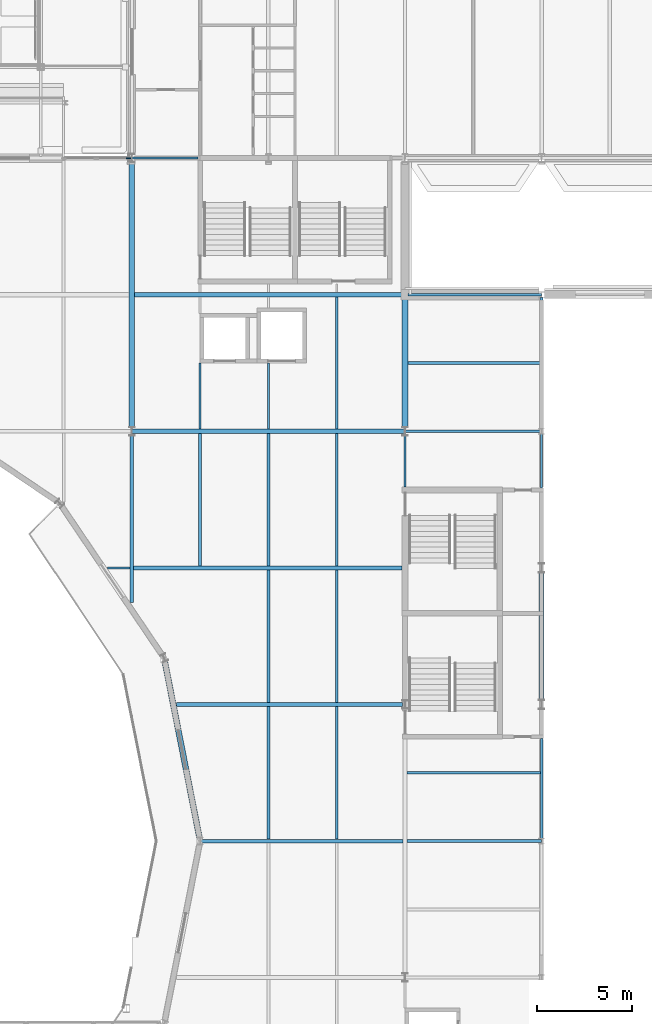
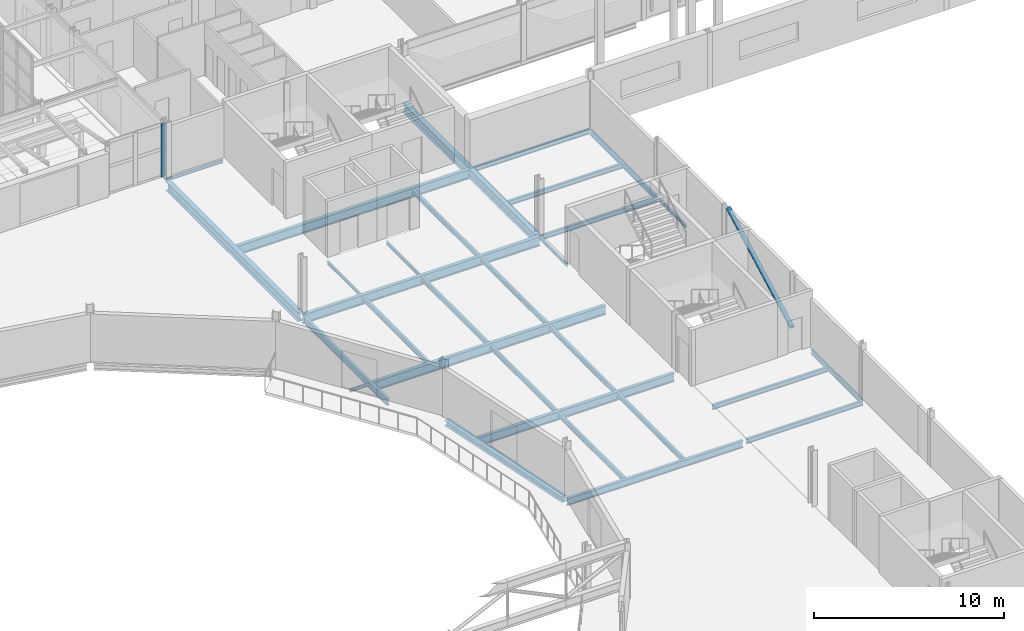
# One storey, part 50 of 143: 30 beams, 2 members, 1 element without a shape of its own.
"""IFC4 building model written with IfcOpenShell, lengths in metres."""

from ifc_helpers import new_model, si_unit, direction, frame, origin, origin_2d, place, context, subcontext, project, spatial, rectangle, hollow_circle, i_section, extrude, material, material_profile, profile_set, type_object, element, aggregate, save


model = new_model("IFC4")

# Units and contexts
model_context = context("Model", 3, precision=1e-05, world=origin(), true_north=direction((0.0, 1.0)))
body_context = subcontext(model_context, "Body", "Model", "MODEL_VIEW")
ifc_project = project(units=[si_unit("LENGTHUNIT", "METRE"), si_unit("AREAUNIT", "SQUARE_METRE"), si_unit("VOLUMEUNIT", "CUBIC_METRE"), si_unit("PLANEANGLEUNIT", "RADIAN"), si_unit("MASSUNIT", "GRAM", prefix="KILO")], contexts=[model_context])

# Site, building, storey
site_placement = place(None, origin())
site = spatial("IfcSite", under=ifc_project, at=site_placement, CompositionType="ELEMENT")
building_placement = place(site_placement, origin())
building = spatial("IfcBuilding", under=site, at=building_placement, Name="Kupolbacken Congress Centre", CompositionType="ELEMENT")
storey_placement = place(building_placement, frame((0.0, 0.0, 7.199951171875)))
storey = spatial("IfcBuildingStorey", under=building, at=storey_placement, Name="L02", CompositionType="ELEMENT", Elevation=7.199951171875)

# Beams
ifc_material_1 = material(Name="Steel S355", Category="steel")
ifc_material_profile_1 = material_profile(ifc_material_1, i_section(OverallWidth=0.10009765625, OverallDepth=0.199951171875, WebThickness=0.005615234375, FlangeThickness=0.008544921875, FilletRadius=0.011962890625, at=origin_2d()), Name="IPE 200")
ifc_profile_set_1 = profile_set([ifc_material_profile_1], Name="Steel S355")
beam_type_1 = type_object("IfcBeamType", Name="B01 beam IPE 200", PredefinedType="BEAM", material=ifc_profile_set_1)
beam_1_placement = place(storey_placement, frame((79.199951171875, 105.050048828125, -0.280029296875), z_axis=(0.0, 1.0, 0.0), x_axis=(-1.0, 0.0, 0.0)))
element("IfcBeam", 1, at=beam_1_placement, inside=storey, type_object=beam_type_1, Name="S/floor/P/L02/G036", PredefinedType="BEAM", context=body_context, shape_type="SweptSolid", body=[
    extrude(i_section(OverallWidth=0.10009765625, OverallDepth=0.199951171875, WebThickness=0.005615234375, FlangeThickness=0.008544921875, FilletRadius=0.011962890625, at=origin_2d()), origin(), (0.0, 0.0, 1.0), 2.724853515625),
])
beam_2_placement = place(storey_placement, frame((63.50927734375, 100.800048828125, -0.280029296875), z_axis=(1.0, 0.0, 0.0), x_axis=(0.0, 1.0, 0.0)))
element("IfcBeam", 2, at=beam_2_placement, inside=storey, type_object=beam_type_1, Name="S/floor/P/L02/R059", PredefinedType="BEAM", context=body_context, shape_type="SweptSolid", body=[
    extrude(i_section(OverallWidth=0.10009765625, OverallDepth=0.199951171875, WebThickness=0.005615234375, FlangeThickness=0.008544921875, FilletRadius=0.011962890625, at=origin_2d()), origin(), (0.0, 0.0, 1.0), 1.20068359375),
])
beam_3_placement = place(storey_placement, frame((64.806884765625, 122.39990234375, -0.280029296875), z_axis=(1.0, 0.0, 0.0), x_axis=(0.0, 1.0, 0.0)))
element("IfcBeam", 3, at=beam_3_placement, inside=storey, type_object=beam_type_1, Name="S/floor/P/L02/R074", PredefinedType="BEAM", context=body_context, shape_type="SweptSolid", body=[
    extrude(i_section(OverallWidth=0.10009765625, OverallDepth=0.199951171875, WebThickness=0.005615234375, FlangeThickness=0.008544921875, FilletRadius=0.011962890625, at=origin_2d()), origin(), (0.0, 0.0, 1.0), 3.468017578125),
])
for number, where, z_axis, x_axis, name in (
    (4, (72.0, 108.110107421875, -0.280029296875), (0.0, 1.0, 0.0), (-1.0, 0.0, 0.0), "S/floor/P/L02/S148"),
    (5, (68.39990234375, 108.110107421875, -0.280029296875), (0.0, 1.0, 0.0), (-1.0, 0.0, 0.0), "S/floor/P/L02/S174"),
):
    element("IfcBeam", number, at=place(storey_placement, frame(where, z_axis=z_axis, x_axis=x_axis)), inside=storey, type_object=beam_type_1, Name=name, PredefinedType="BEAM", context=body_context, shape_type="SweptSolid", body=[
        extrude(i_section(OverallWidth=0.10009765625, OverallDepth=0.199951171875, WebThickness=0.005615234375, FlangeThickness=0.008544921875, FilletRadius=0.011962890625, at=origin_2d()), origin(), (0.0, 0.0, 1.0), 3.489990234375),
    ])
beam_4_placement = place(storey_placement, frame((86.39990234375, 105.0, -0.280029296875), z_axis=(0.0, 1.0, 0.0), x_axis=(-1.0, 0.0, 0.0)))
element("IfcBeam", 6, at=beam_4_placement, inside=storey, type_object=beam_type_1, Name="S/floor/LINK/L02/E008", PredefinedType="BEAM", context=body_context, shape_type="SweptSolid", body=[
    extrude(i_section(OverallWidth=0.10009765625, OverallDepth=0.199951171875, WebThickness=0.005615234375, FlangeThickness=0.008544921875, FilletRadius=0.011962890625, at=origin_2d()), origin(), (0.0, 0.0, 1.0), 2.85498046875),
])
ifc_material_2 = material(Name="Steel S355", Category="steel")
ifc_material_profile_2 = material_profile(ifc_material_2, i_section(OverallWidth=0.135009765625, OverallDepth=0.27001953125, WebThickness=0.006591796875, FlangeThickness=0.01025390625, FilletRadius=0.014892578125, at=origin_2d()), Name="IPE 270")
ifc_profile_set_2 = profile_set([ifc_material_profile_2], Name="Steel S355")
beam_type_2 = type_object("IfcBeamType", Name="B03 beam IPE 270", PredefinedType="BEAM", material=ifc_profile_set_2)
beam_5_placement = place(storey_placement, frame((86.39990234375, 86.544921875, -0.31494140625), z_axis=(0.0, 1.0, 0.0), x_axis=(-1.0, 0.0, 0.0)))
element("IfcBeam", 7, at=beam_5_placement, inside=storey, type_object=beam_type_2, Name="S/floor/LINK/L02/E007", PredefinedType="BEAM", context=body_context, shape_type="SweptSolid", body=[
    extrude(i_section(OverallWidth=0.135009765625, OverallDepth=0.27001953125, WebThickness=0.006591796875, FlangeThickness=0.01025390625, FilletRadius=0.014892578125, at=origin_2d()), origin(), (0.0, 0.0, 1.0), 5.255126953125),
])
ifc_material_3 = material(Name="Steel S355", Category="steel")
ifc_material_profile_3 = material_profile(ifc_material_3, i_section(OverallWidth=0.14990234375, OverallDepth=0.300048828125, WebThickness=0.007080078125, FlangeThickness=0.0107421875, FilletRadius=0.014892578125, at=origin_2d()), Name="IPE 300")
ifc_profile_set_3 = profile_set([ifc_material_profile_3], Name="Steel S355")
beam_type_3 = type_object("IfcBeamType", Name="B04 beam IPE 300", PredefinedType="BEAM", material=ifc_profile_set_3)
beam_6_placement = place(storey_placement, frame((72.0, 86.4951171875, -0.329833984375), z_axis=(0.0, 1.0, 0.0), x_axis=(-1.0, 0.0, 0.0)))
element("IfcBeam", 8, at=beam_6_placement, inside=storey, type_object=beam_type_3, Name="S/floor/P/L02/S145", PredefinedType="BEAM", context=body_context, shape_type="SweptSolid", body=[
    extrude(i_section(OverallWidth=0.14990234375, OverallDepth=0.300048828125, WebThickness=0.007080078125, FlangeThickness=0.0107421875, FilletRadius=0.014892578125, at=origin_2d()), origin(), (0.0, 0.0, 1.0), 7.0),
])
beam_7_placement = place(storey_placement, frame((72.0, 93.705078125, -0.329833984375), z_axis=(0.0, 1.0, 0.0), x_axis=(-1.0, 0.0, 0.0)))
element("IfcBeam", 9, at=beam_7_placement, inside=storey, type_object=beam_type_3, Name="S/floor/P/L02/S146", PredefinedType="BEAM", context=body_context, shape_type="SweptSolid", body=[
    extrude(i_section(OverallWidth=0.14990234375, OverallDepth=0.300048828125, WebThickness=0.007080078125, FlangeThickness=0.0107421875, FilletRadius=0.014892578125, at=origin_2d()), origin(), (0.0, 0.0, 1.0), 6.98486328125),
])
beam_8_placement = place(storey_placement, frame((72.0, 100.909912109375, -0.329833984375), z_axis=(0.0, 1.0, 0.0), x_axis=(-1.0, 0.0, 0.0)))
element("IfcBeam", 10, at=beam_8_placement, inside=storey, type_object=beam_type_3, Name="S/floor/P/L02/S147", PredefinedType="BEAM", context=body_context, shape_type="SweptSolid", body=[
    extrude(i_section(OverallWidth=0.14990234375, OverallDepth=0.300048828125, WebThickness=0.007080078125, FlangeThickness=0.0107421875, FilletRadius=0.014892578125, at=origin_2d()), origin(), (0.0, 0.0, 1.0), 6.97998046875),
])
beam_9_placement = place(storey_placement, frame((75.60009765625, 86.4951171875, -0.329833984375), z_axis=(0.0, 1.0, 0.0), x_axis=(-1.0, 0.0, 0.0)))
element("IfcBeam", 11, at=beam_9_placement, inside=storey, type_object=beam_type_3, Name="S/floor/P/L02/S156", PredefinedType="BEAM", context=body_context, shape_type="SweptSolid", body=[
    extrude(i_section(OverallWidth=0.14990234375, OverallDepth=0.300048828125, WebThickness=0.007080078125, FlangeThickness=0.0107421875, FilletRadius=0.014892578125, at=origin_2d()), origin(), (0.0, 0.0, 1.0), 7.0),
])
beam_10_placement = place(storey_placement, frame((75.60009765625, 93.705078125, -0.329833984375), z_axis=(0.0, 1.0, 0.0), x_axis=(-1.0, 0.0, 0.0)))
element("IfcBeam", 12, at=beam_10_placement, inside=storey, type_object=beam_type_3, Name="S/floor/P/L02/S157", PredefinedType="BEAM", context=body_context, shape_type="SweptSolid", body=[
    extrude(i_section(OverallWidth=0.14990234375, OverallDepth=0.300048828125, WebThickness=0.007080078125, FlangeThickness=0.0107421875, FilletRadius=0.014892578125, at=origin_2d()), origin(), (0.0, 0.0, 1.0), 6.98486328125),
])
for number, where, z_axis, x_axis, name in (
    (13, (75.60009765625, 100.909912109375, -0.329833984375), (0.0, 1.0, 0.0), (-1.0, 0.0, 0.0), "S/floor/P/L02/S158"),
    (14, (75.60009765625, 108.110107421875, -0.329833984375), (0.0, 1.0, 0.0), (-1.0, 0.0, 0.0), "S/floor/P/L02/S159"),
    (15, (68.39990234375, 100.909912109375, -0.329833984375), (0.0, 1.0, 0.0), (-1.0, 0.0, 0.0), "S/floor/P/L02/S173"),
):
    element("IfcBeam", number, at=place(storey_placement, frame(where, z_axis=z_axis, x_axis=x_axis)), inside=storey, type_object=beam_type_3, Name=name, PredefinedType="BEAM", context=body_context, shape_type="SweptSolid", body=[
        extrude(i_section(OverallWidth=0.14990234375, OverallDepth=0.300048828125, WebThickness=0.007080078125, FlangeThickness=0.0107421875, FilletRadius=0.014892578125, at=origin_2d()), origin(), (0.0, 0.0, 1.0), 6.97998046875),
    ])
beam_11_placement = place(storey_placement, frame((86.39990234375, 108.14501953125, -0.329833984375), z_axis=(0.0, 1.0, 0.0), x_axis=(-1.0, 0.0, 0.0)))
element("IfcBeam", 16, at=beam_11_placement, inside=storey, type_object=beam_type_3, Name="S/floor/LINK/L02/E009", PredefinedType="BEAM", context=body_context, shape_type="SweptSolid", body=[
    extrude(i_section(OverallWidth=0.14990234375, OverallDepth=0.300048828125, WebThickness=0.007080078125, FlangeThickness=0.0107421875, FilletRadius=0.014892578125, at=origin_2d()), origin(), (0.0, 0.0, 1.0), 6.909912109375),
])
beam_12_placement = place(storey_placement, frame((79.304931640625, 86.39990234375, -0.329833984375), z_axis=(1.0, 0.0, 0.0), x_axis=(0.0, 1.0, 0.0)))
element("IfcBeam", 17, at=beam_12_placement, inside=storey, type_object=beam_type_3, Name="S/floor/LINK/L02/R018", PredefinedType="BEAM", context=body_context, shape_type="SweptSolid", body=[
    extrude(i_section(OverallWidth=0.14990234375, OverallDepth=0.300048828125, WebThickness=0.007080078125, FlangeThickness=0.0107421875, FilletRadius=0.014892578125, at=origin_2d()), origin(), (0.0, 0.0, 1.0), 7.0908203125),
])
beam_13_placement = place(storey_placement, frame((79.304931640625, 90.0, -0.329833984375), z_axis=(1.0, 0.0, 0.0), x_axis=(0.0, 1.0, 0.0)))
element("IfcBeam", 18, at=beam_13_placement, inside=storey, type_object=beam_type_3, Name="S/floor/LINK/L02/R019", PredefinedType="BEAM", context=body_context, shape_type="SweptSolid", body=[
    extrude(i_section(OverallWidth=0.14990234375, OverallDepth=0.300048828125, WebThickness=0.007080078125, FlangeThickness=0.0107421875, FilletRadius=0.014892578125, at=origin_2d()), origin(), (0.0, 0.0, 1.0), 7.027587890625),
])
beam_14_placement = place(storey_placement, frame((79.20703125, 108.0, -0.329833984375), z_axis=(1.0, 0.0, 0.0), x_axis=(0.0, 1.0, 0.0)))
element("IfcBeam", 19, at=beam_14_placement, inside=storey, type_object=beam_type_3, Name="S/floor/LINK/L02/R020", PredefinedType="BEAM", context=body_context, shape_type="SweptSolid", body=[
    extrude(i_section(OverallWidth=0.14990234375, OverallDepth=0.300048828125, WebThickness=0.007080078125, FlangeThickness=0.0107421875, FilletRadius=0.014892578125, at=origin_2d()), origin(), (0.0, 0.0, 1.0), 7.188720703125),
])
beam_15_placement = place(storey_placement, frame((79.35009765625, 111.60009765625, -0.329833984375), z_axis=(1.0, 0.0, 0.0), x_axis=(0.0, 1.0, 0.0)))
element("IfcBeam", 20, at=beam_15_placement, inside=storey, type_object=beam_type_3, Name="S/floor/LINK/L02/R021", PredefinedType="BEAM", context=body_context, shape_type="SweptSolid", body=[
    extrude(i_section(OverallWidth=0.14990234375, OverallDepth=0.300048828125, WebThickness=0.007080078125, FlangeThickness=0.0107421875, FilletRadius=0.014892578125, at=origin_2d()), origin(), (0.0, 0.0, 1.0), 6.974853515625),
])
beam_16_placement = place(storey_placement, frame((79.35009765625, 115.199951171875, -0.329833984375), z_axis=(1.0, 0.0, 0.0), x_axis=(0.0, 1.0, 0.0)))
element("IfcBeam", 21, at=beam_16_placement, inside=storey, type_object=beam_type_3, Name="S/floor/LINK/L02/R022", PredefinedType="BEAM", context=body_context, shape_type="SweptSolid", body=[
    extrude(i_section(OverallWidth=0.14990234375, OverallDepth=0.300048828125, WebThickness=0.007080078125, FlangeThickness=0.0107421875, FilletRadius=0.014892578125, at=origin_2d()), origin(), (0.0, 0.0, 1.0), 7.045654296875),
])
ifc_material_4 = material(Name="Steel S355", Category="steel")
ifc_material_profile_4 = material_profile(ifc_material_4, i_section(OverallWidth=0.179931640625, OverallDepth=0.39990234375, WebThickness=0.008544921875, FlangeThickness=0.013427734375, FilletRadius=0.02099609375, at=origin_2d()), Name="IPE 400")
ifc_profile_set_4 = profile_set([ifc_material_profile_4], Name="Steel S355")
beam_type_4 = type_object("IfcBeamType", Name="B07 beam IPE 400", PredefinedType="BEAM", material=ifc_profile_set_4)
beam_17_placement = place(storey_placement, frame((64.800048828125, 98.970703125, -0.3798828125), z_axis=(0.0, 1.0, 0.0), x_axis=(-1.0, 0.0, 0.0)))
element("IfcBeam", 22, at=beam_17_placement, inside=storey, type_object=beam_type_4, Name="S/floor/P/L02/G030", PredefinedType="BEAM", context=body_context, shape_type="SweptSolid", body=[
    extrude(i_section(OverallWidth=0.179931640625, OverallDepth=0.39990234375, WebThickness=0.008544921875, FlangeThickness=0.013427734375, FilletRadius=0.02099609375, at=origin_2d()), origin(), (0.0, 0.0, 1.0), 8.80419921875),
])
ifc_material_5 = material(Name="Steel S355", Category="steel")
ifc_material_profile_5 = material_profile(ifc_material_5, i_section(OverallWidth=0.18994140625, OverallDepth=0.449951171875, WebThickness=0.009521484375, FlangeThickness=0.0146484375, FilletRadius=0.02099609375, at=origin_2d()), Name="IPE 450")
ifc_profile_set_5 = profile_set([ifc_material_profile_5], Name="Steel S355")
beam_type_5 = type_object("IfcBeamType", Name="B08 beam IPE 450", PredefinedType="BEAM", material=ifc_profile_set_5)
beam_18_placement = place(storey_placement, frame((68.40673828125, 86.39990234375, -0.405029296875), z_axis=(1.0, 0.0, 0.0), x_axis=(0.0, 1.0, 0.0)))
element("IfcBeam", 23, at=beam_18_placement, inside=storey, type_object=beam_type_5, Name="S/floor/P/L02/R054", PredefinedType="BEAM", context=body_context, shape_type="SweptSolid", body=[
    extrude(i_section(OverallWidth=0.18994140625, OverallDepth=0.449951171875, WebThickness=0.009521484375, FlangeThickness=0.0146484375, FilletRadius=0.02099609375, at=origin_2d()), origin(), (0.0, 0.0, 1.0), 10.688232421875),
])
ifc_material_6 = material(Name="Steel S355", Category="steel")
ifc_material_profile_6 = material_profile(ifc_material_6, i_section(OverallWidth=0.2099609375, OverallDepth=0.550048828125, WebThickness=0.010986328125, FlangeThickness=0.01708984375, FilletRadius=0.02392578125, at=origin_2d()), Name="IPE 550")
ifc_profile_set_6 = profile_set([ifc_material_profile_6], Name="Steel S355")
beam_type_6 = type_object("IfcBeamType", Name="B10 beam IPE 550", PredefinedType="BEAM", material=ifc_profile_set_6)
beam_19_placement = place(storey_placement, frame((67.156005859375, 93.60009765625, -0.454833984375), z_axis=(1.0, 0.0, 0.0), x_axis=(0.0, 1.0, 0.0)))
element("IfcBeam", 24, at=beam_19_placement, inside=storey, type_object=beam_type_6, Name="S/floor/P/L02/R056", PredefinedType="BEAM", context=body_context, shape_type="SweptSolid", body=[
    extrude(i_section(OverallWidth=0.2099609375, OverallDepth=0.550048828125, WebThickness=0.010986328125, FlangeThickness=0.01708984375, FilletRadius=0.02392578125, at=origin_2d()), origin(), (0.0, 0.0, 1.0), 11.9189453125),
])
ifc_material_7 = material(Name="Steel S355", Category="steel")
ifc_material_profile_7 = material_profile(ifc_material_7, i_section(OverallWidth=0.219970703125, OverallDepth=0.60009765625, WebThickness=0.011962890625, FlangeThickness=0.01904296875, FilletRadius=0.02392578125, at=origin_2d()), Name="IPE 600")
ifc_profile_set_7 = profile_set([ifc_material_profile_7], Name="Steel S355")
beam_type_7 = type_object("IfcBeamType", Name="B11 beam IPE 600", PredefinedType="BEAM", material=ifc_profile_set_7)
beam_20_placement = place(storey_placement, frame((64.889892578125, 100.800048828125, -0.47998046875), z_axis=(1.0, 0.0, 0.0), x_axis=(0.0, 1.0, 0.0)))
element("IfcBeam", 25, at=beam_20_placement, inside=storey, type_object=beam_type_7, Name="S/floor/P/L02/R060", PredefinedType="BEAM", context=body_context, shape_type="SweptSolid", body=[
    extrude(i_section(OverallWidth=0.219970703125, OverallDepth=0.60009765625, WebThickness=0.011962890625, FlangeThickness=0.01904296875, FilletRadius=0.02392578125, at=origin_2d()), origin(), (0.0, 0.0, 1.0), 14.16015625),
])
beam_21_placement = place(storey_placement, frame((64.806884765625, 108.0, -0.47998046875), z_axis=(1.0, 0.0, 0.0), x_axis=(0.0, 1.0, 0.0)))
element("IfcBeam", 26, at=beam_21_placement, inside=storey, type_object=beam_type_7, Name="S/floor/P/L02/R064", PredefinedType="BEAM", context=body_context, shape_type="SweptSolid", body=[
    extrude(i_section(OverallWidth=0.219970703125, OverallDepth=0.60009765625, WebThickness=0.011962890625, FlangeThickness=0.01904296875, FilletRadius=0.02392578125, at=origin_2d()), origin(), (0.0, 0.0, 1.0), 14.38623046875),
])
beam_22_placement = place(storey_placement, frame((64.949951171875, 115.199951171875, -0.47998046875), z_axis=(1.0, 0.0, 0.0), x_axis=(0.0, 1.0, 0.0)))
element("IfcBeam", 27, at=beam_22_placement, inside=storey, type_object=beam_type_7, Name="S/floor/P/L02/R069", PredefinedType="BEAM", context=body_context, shape_type="SweptSolid", body=[
    extrude(i_section(OverallWidth=0.219970703125, OverallDepth=0.60009765625, WebThickness=0.011962890625, FlangeThickness=0.01904296875, FilletRadius=0.02392578125, at=origin_2d()), origin(), (0.0, 0.0, 1.0), 14.10009765625),
])
ifc_material_8 = material(Name="Steel S355", Category="steel")
ifc_material_profile_8 = material_profile(ifc_material_8, i_section(OverallWidth=0.300048828125, OverallDepth=0.35009765625, WebThickness=0.010009765625, FlangeThickness=0.017578125, FilletRadius=0.027099609375, at=origin_2d()), Name="HEA 360")
ifc_profile_set_8 = profile_set([ifc_material_profile_8], Name="Steel S355")
beam_type_8 = type_object("IfcBeamType", Name="B13 beam HEA 360", PredefinedType="BEAM", material=ifc_profile_set_8)
beam_23_placement = place(storey_placement, frame((68.360595703125, 86.60009765625, -0.35498046875), z_axis=(-0.193191886678, 0.981160993376, 0.0), x_axis=(-0.981160993376, -0.193191886678, 0.0)))
element("IfcBeam", 28, at=beam_23_placement, inside=storey, type_object=beam_type_8, Name="S/floor/P/L02/C001", PredefinedType="BEAM", context=body_context, shape_type="SweptSolid", body=[
    extrude(i_section(OverallWidth=0.300048828125, OverallDepth=0.35009765625, WebThickness=0.010009765625, FlangeThickness=0.017578125, FilletRadius=0.027099609375, at=origin_2d()), origin(), (0.0, 0.0, 1.0), 9.42724609375),
])
ifc_material_9 = material(Name="Steel S355", Category="steel")
ifc_material_profile_9 = material_profile(ifc_material_9, i_section(OverallWidth=0.300048828125, OverallDepth=0.60009765625, WebThickness=0.015380859375, FlangeThickness=0.030029296875, FilletRadius=0.027099609375, at=origin_2d()), Name="HEB 600")
ifc_profile_set_9 = profile_set([ifc_material_profile_9], Name="Steel S355")
beam_type_9 = type_object("IfcBeamType", Name="B15 beam HEB 600", PredefinedType="BEAM", material=ifc_profile_set_9)
beam_24_placement = place(storey_placement, frame((64.800048828125, 108.22509765625, -0.47998046875), z_axis=(0.0, 1.0, 0.0), x_axis=(-1.0, 0.0, 0.0)))
element("IfcBeam", 29, at=beam_24_placement, inside=storey, type_object=beam_type_9, Name="S/floor/P/L02/G031", PredefinedType="BEAM", context=body_context, shape_type="SweptSolid", body=[
    extrude(i_section(OverallWidth=0.300048828125, OverallDepth=0.60009765625, WebThickness=0.015380859375, FlangeThickness=0.030029296875, FilletRadius=0.027099609375, at=origin_2d()), origin(), (0.0, 0.0, 1.0), 13.949951171875),
])
beam_25_placement = place(storey_placement, frame((79.199951171875, 108.22509765625, -0.47998046875), z_axis=(0.0, 1.0, 0.0), x_axis=(-1.0, 0.0, 0.0)))
element("IfcBeam", 30, at=beam_25_placement, inside=storey, type_object=beam_type_9, Name="S/floor/P/L02/G037", PredefinedType="BEAM", context=body_context, shape_type="SweptSolid", body=[
    extrude(i_section(OverallWidth=0.300048828125, OverallDepth=0.60009765625, WebThickness=0.015380859375, FlangeThickness=0.030029296875, FilletRadius=0.027099609375, at=origin_2d()), origin(), (0.0, 0.0, 1.0), 13.958984375),
])

# Member
ifc_material_10 = material(Name="Steel S355", Category="steel")
ifc_material_profile_10 = material_profile(ifc_material_10, hollow_circle(Radius=0.136474609375, WallThickness=0.012451171875, at=origin_2d()), Name="CHS 273 x 12.5")
ifc_profile_set_10 = profile_set([ifc_material_profile_10], Name="Steel S355")
member_type_1 = type_object("IfcMemberType", Name="M08 brace CHS 273 x 12.5", PredefinedType="BRACE", material=ifc_profile_set_10)
member_1_placement = place(storey_placement, frame((86.39990234375, 93.844970703125, 0.0), z_axis=(0.0, 0.881180466795, 0.472780059793), x_axis=(-1.0, 0.0, 0.0)))
element("IfcMember", 31, at=member_1_placement, inside=storey, type_object=member_type_1, Name="S/brace/W/08/03", PredefinedType="BRACE", context=body_context, shape_type="SweptSolid", body=[
    extrude(hollow_circle(Radius=0.136474609375, WallThickness=0.012451171875, at=origin_2d()), origin(), (0.0, 0.0, 1.0), 7.61474609375),
])

# Curtain wall, member
ifc_material_11 = material(Name="Aluminium mullion-transom frame with glass", Category="aluminium")
curtain_wall_type = type_object("IfcCurtainWallType", Name="CW2 curtain wall 3600x3600", PredefinedType="NOTDEFINED", material=ifc_material_11)
curtain_wall_placement = place(storey_placement, origin())
curtain_wall = element("IfcCurtainWall", 32, at=curtain_wall_placement, inside=storey, type_object=curtain_wall_type, Name="E/P/N/L02/277", PredefinedType="NOTDEFINED")
ifc_material_12 = material(Name="Aluminium alloy", Category="aluminium")
ifc_material_profile_11 = material_profile(ifc_material_12, rectangle(XDim=0.06005859375, YDim=0.25, at=origin_2d()), Name="60 x 250")
ifc_profile_set_11 = profile_set([ifc_material_profile_11], Name="Aluminium alloy")
member_type_2 = type_object("IfcMemberType", Name="MU3 mullion 60x250", PredefinedType="MULLION", material=ifc_profile_set_11)
member_2_placement = place(storey_placement, frame((64.6201171875, 122.39990234375, 0.0), z_axis=(0.0, 0.0, 1.0), x_axis=(0.0, -1.0, 0.0)))
member_2 = element("IfcMember", 33, at=member_2_placement, type_object=member_type_2, Name="CW2 mullion 1", PredefinedType="MULLION", context=body_context, shape_type="SweptSolid", body=[
    extrude(rectangle(XDim=0.06005859375, YDim=0.25, at=origin_2d()), origin(), (0.0, 0.0, 1.0), 3.420166015625),
])
aggregate(curtain_wall, [member_2])

save(model, "model.ifc")
